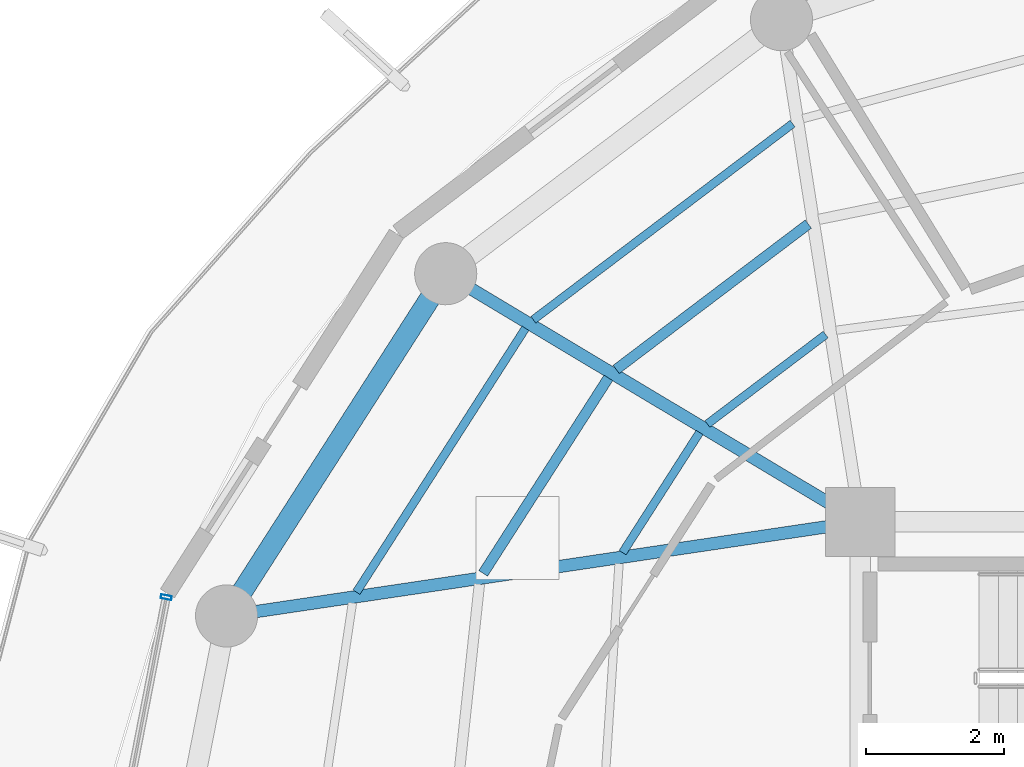
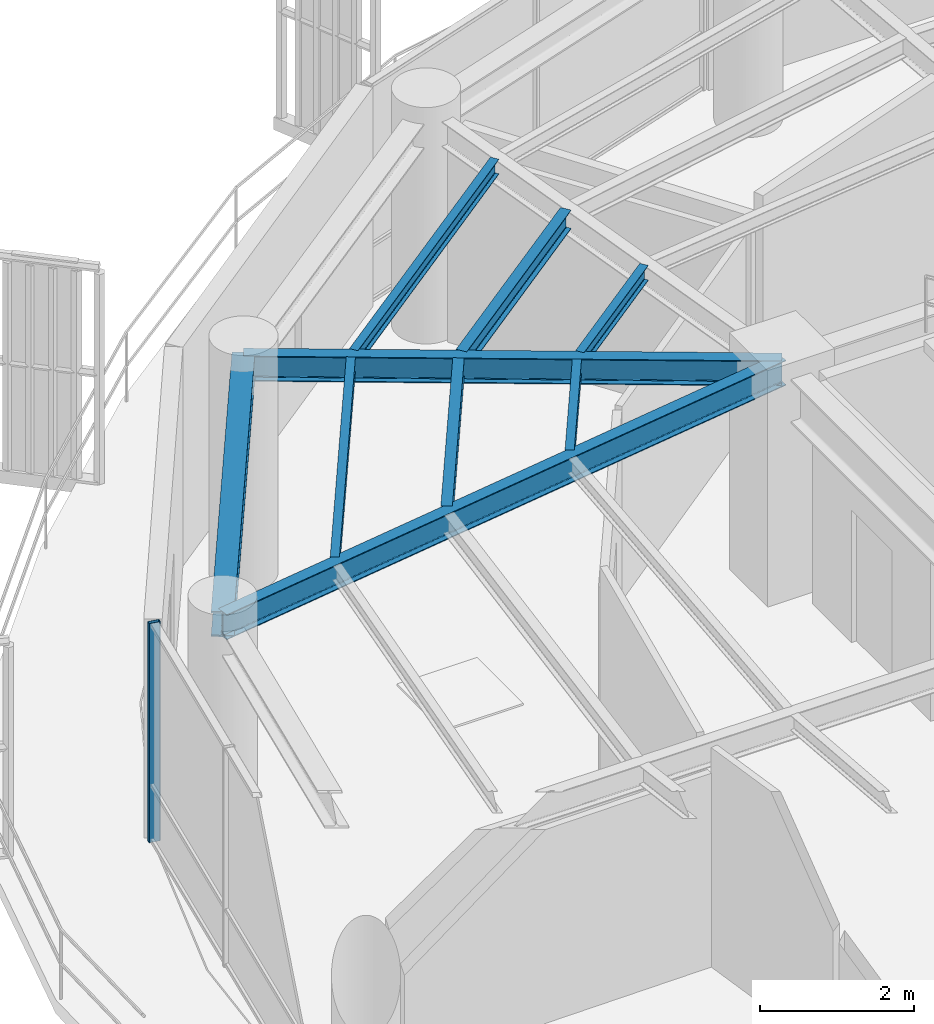
# One storey, part 7 of 22: 9 beams, 1 member, 1 element without a shape of its own.
"""IFC4 building model written with IfcOpenShell, lengths in metres."""

from ifc_helpers import new_model, si_unit, direction, frame, origin, origin_2d, place, context, subcontext, project, spatial, hollow_rectangle, i_section, extrude, material, layer, layer_set, material_profile, profile_set, type_object, element, aggregate, save


model = new_model("IFC4")

# Units and contexts
model_context = context("Model", 3, precision=1e-05, world=origin(), true_north=direction((0.0, 1.0)))
body_context = subcontext(model_context, "Body", "Model", "MODEL_VIEW")
ifc_project = project(units=[si_unit("LENGTHUNIT", "METRE"), si_unit("AREAUNIT", "SQUARE_METRE"), si_unit("VOLUMEUNIT", "CUBIC_METRE"), si_unit("PLANEANGLEUNIT", "RADIAN"), si_unit("MASSUNIT", "GRAM", prefix="KILO")], contexts=[model_context])

# Site, building, storey
site_placement = place(None, origin())
site = spatial("IfcSite", under=ifc_project, at=site_placement, CompositionType="ELEMENT")
building_placement = place(site_placement, origin())
building = spatial("IfcBuilding", under=site, at=building_placement, Name="Kelanora Arch Commons", CompositionType="ELEMENT")
storey_placement = place(building_placement, frame((0.0, 0.0, 259.949951171875)))
storey = spatial("IfcBuildingStorey", under=building, at=storey_placement, Name="L66", CompositionType="ELEMENT", Elevation=259.949951171875)

# Beams
ifc_material_1 = material(Name="Steel S355", Category="steel")
ifc_material_profile_1 = material_profile(ifc_material_1, i_section(OverallWidth=0.14990234375, OverallDepth=0.300048828125, WebThickness=0.007080078125, FlangeThickness=0.0107421875, FilletRadius=0.014892578125, at=origin_2d()), Name="IPE300")
ifc_profile_set_1 = profile_set([ifc_material_profile_1], Name="Steel S355")
beam_type_1 = type_object("IfcBeamType", Name="BM-JST-01", PredefinedType="JOIST", material=ifc_profile_set_1)
beam_1_placement = place(storey_placement, frame((65.248291015625, 69.31201171875, 3.340087890625), z_axis=(-0.797499198801, -0.603320004568, 0.0), x_axis=(0.603320004568, -0.797499198801, 0.0)))
element("IfcBeam", 1, at=beam_1_placement, inside=storey, type_object=beam_type_1, Name="Secondary Chord Joist BJB-12 L66", PredefinedType="JOIST", context=body_context, shape_type="SweptSolid", body=[
    extrude(i_section(OverallWidth=0.14990234375, OverallDepth=0.300048828125, WebThickness=0.007080078125, FlangeThickness=0.0107421875, FilletRadius=0.014892578125, at=origin_2d()), origin(), (0.0, 0.0, 1.0), 3.489013671875),
])
beam_2_placement = place(storey_placement, frame((62.352294921875, 67.084228515625, 3.340087890625), z_axis=(-0.539321586177, -0.842099891155, 0.0), x_axis=(0.842099891155, -0.539321586177, 0.0)))
element("IfcBeam", 2, at=beam_2_placement, inside=storey, type_object=beam_type_1, Name="Secondary Chord Joist BJB-14 L66", PredefinedType="JOIST", context=body_context, shape_type="SweptSolid", body=[
    extrude(i_section(OverallWidth=0.14990234375, OverallDepth=0.300048828125, WebThickness=0.007080078125, FlangeThickness=0.0107421875, FilletRadius=0.014892578125, at=origin_2d()), origin(), (0.0, 0.0, 1.0), 3.361572265625),
])
ifc_material_profile_2 = material_profile(ifc_material_1, i_section(OverallWidth=0.1201171875, OverallDepth=0.239990234375, WebThickness=0.006103515625, FlangeThickness=0.009765625, FilletRadius=0.014892578125, at=origin_2d()), Name="IPE240")
ifc_profile_set_2 = profile_set([ifc_material_profile_2], Name="Steel S355")
beam_type_2 = type_object("IfcBeamType", Name="BM-JST-02", PredefinedType="JOIST", material=ifc_profile_set_2)
beam_3_placement = place(storey_placement, frame((65.4990234375, 67.712158203125, 3.3701171875), z_axis=(-0.797509883882, -0.603305880222, 0.0), x_axis=(0.603305880222, -0.797509883882, 0.0)))
element("IfcBeam", 3, at=beam_3_placement, inside=storey, type_object=beam_type_2, Name="Secondary Chord Joist BJA-12 L66", PredefinedType="JOIST", context=body_context, shape_type="SweptSolid", body=[
    extrude(i_section(OverallWidth=0.1201171875, OverallDepth=0.239990234375, WebThickness=0.006103515625, FlangeThickness=0.009765625, FilletRadius=0.014892578125, at=origin_2d()), origin(), (0.0, 0.0, 1.0), 2.147216796875),
])
beam_4_placement = place(storey_placement, frame((65.020263671875, 70.766357421875, 3.3701171875), z_axis=(-0.79752302984, -0.60328850219, 0.0), x_axis=(0.60328850219, -0.79752302984, 0.0)))
element("IfcBeam", 4, at=beam_4_placement, inside=storey, type_object=beam_type_2, Name="Secondary Chord Joist BJC-12 L66", PredefinedType="JOIST", context=body_context, shape_type="SweptSolid", body=[
    extrude(i_section(OverallWidth=0.1201171875, OverallDepth=0.239990234375, WebThickness=0.006103515625, FlangeThickness=0.009765625, FilletRadius=0.014892578125, at=origin_2d()), origin(), (0.0, 0.0, 1.0), 4.70849609375),
])
beam_5_placement = place(storey_placement, frame((63.6728515625, 66.293701171875, 3.3701171875), z_axis=(-0.539311810315, -0.842106152011, 0.0), x_axis=(0.842106152011, -0.539311810315, 0.0)))
element("IfcBeam", 5, at=beam_5_placement, inside=storey, type_object=beam_type_2, Name="Secondary Chord Joist BJA-14 L66", PredefinedType="JOIST", context=body_context, shape_type="SweptSolid", body=[
    extrude(i_section(OverallWidth=0.1201171875, OverallDepth=0.239990234375, WebThickness=0.006103515625, FlangeThickness=0.009765625, FilletRadius=0.014892578125, at=origin_2d()), origin(), (0.0, 0.0, 1.0), 2.06640625),
])
beam_6_placement = place(storey_placement, frame((61.151611328125, 67.802978515625, 3.3701171875), z_axis=(-0.539288735289, -0.842120929552, 0.0), x_axis=(0.842120929552, -0.539288735289, 0.0)))
element("IfcBeam", 6, at=beam_6_placement, inside=storey, type_object=beam_type_2, Name="Secondary Chord Joist BJC-14 L66", PredefinedType="JOIST", context=body_context, shape_type="SweptSolid", body=[
    extrude(i_section(OverallWidth=0.1201171875, OverallDepth=0.239990234375, WebThickness=0.006103515625, FlangeThickness=0.009765625, FilletRadius=0.014892578125, at=origin_2d()), origin(), (0.0, 0.0, 1.0), 4.538818359375),
])
ifc_material_profile_3 = material_profile(ifc_material_1, i_section(OverallWidth=0.179931640625, OverallDepth=0.39990234375, WebThickness=0.008544921875, FlangeThickness=0.013427734375, FilletRadius=0.02099609375, at=origin_2d()), Name="IPE400")
ifc_profile_set_3 = profile_set([ifc_material_profile_3], Name="Steel S355")
beam_type_3 = type_object("IfcBeamType", Name="BM-RAD-Z5", PredefinedType="BEAM", material=ifc_profile_set_3)
beam_7_placement = place(storey_placement, frame((66.0, 65.0, 3.2900390625), z_axis=(-0.858062005744, 0.513546097541, 0.0), x_axis=(-0.513546097541, -0.858062005744, 0.0)))
element("IfcBeam", 7, at=beam_7_placement, inside=storey, type_object=beam_type_3, Name="Radial Floor Girder BR-14 L66", PredefinedType="BEAM", context=body_context, shape_type="SweptSolid", body=[
    extrude(i_section(OverallWidth=0.179931640625, OverallDepth=0.39990234375, WebThickness=0.008544921875, FlangeThickness=0.013427734375, FilletRadius=0.02099609375, at=origin_2d()), origin(), (0.0, 0.0, 1.0), 6.99658203125),
])
beam_8_placement = place(storey_placement, frame((66.0, 65.0, 3.2900390625), z_axis=(-0.989142485564, -0.146959665395, 0.0), x_axis=(0.146959665395, -0.989142485564, 0.0)))
element("IfcBeam", 8, at=beam_8_placement, inside=storey, type_object=beam_type_3, Name="Radial Floor Girder BR-16 L66", PredefinedType="BEAM", context=body_context, shape_type="SweptSolid", body=[
    extrude(i_section(OverallWidth=0.179931640625, OverallDepth=0.39990234375, WebThickness=0.008544921875, FlangeThickness=0.013427734375, FilletRadius=0.02099609375, at=origin_2d()), origin(), (0.0, 0.0, 1.0), 9.2783203125),
])
ifc_material_profile_4 = material_profile(ifc_material_1, i_section(OverallWidth=0.300048828125, OverallDepth=0.39990234375, WebThickness=0.013427734375, FlangeThickness=0.02392578125, FilletRadius=0.027099609375, at=origin_2d()), Name="HEB400")
ifc_profile_set_4 = profile_set([ifc_material_profile_4], Name="Steel S355")
beam_type_4 = type_object("IfcBeamType", Name="BM-SPN-Z4", PredefinedType="SPANDREL", material=ifc_profile_set_4)
beam_9_placement = place(storey_placement, frame((59.99658203125, 68.593017578125, 3.2900390625), z_axis=(-0.539280851353, -0.842125978322, 0.0), x_axis=(0.842125978322, -0.539280851353, 0.0)))
element("IfcBeam", 9, at=beam_9_placement, inside=storey, type_object=beam_type_4, Name="Perimeter Spandrel Beam BS-14 L66", PredefinedType="SPANDREL", context=body_context, shape_type="SweptSolid", body=[
    extrude(i_section(OverallWidth=0.300048828125, OverallDepth=0.39990234375, WebThickness=0.013427734375, FlangeThickness=0.02392578125, FilletRadius=0.027099609375, at=origin_2d()), origin(), (0.0, 0.0, 1.0), 5.8857421875),
])

# Curtain wall, member
ifc_material_2 = material(Name="Terracotta ceramic-fritted low-E glass and aluminium", Category="masonry")
ifc_layer = layer(ifc_material_2, 0.18994140625)
ifc_layer_set = layer_set([ifc_layer], Name="Terracotta ceramic-fritted low-E glass and aluminium")
curtain_wall_type = type_object("IfcCurtainWallType", Name="CW-SYS-03", PredefinedType="NOTDEFINED", material=ifc_layer_set)
curtain_wall_placement = place(storey_placement, origin())
curtain_wall = element("IfcCurtainWall", 10, at=curtain_wall_placement, inside=storey, type_object=curtain_wall_type, Name="Unitised Curtain Wall L66-B08", PredefinedType="NOTDEFINED")
ifc_material_3 = material(Name="Powder-coated aluminium terracotta", Category="masonry")
ifc_material_profile_5 = material_profile(ifc_material_3, hollow_rectangle(XDim=0.159912109375, YDim=0.06005859375, WallThickness=0.0048828125, InnerFilletRadius=0.0048828125, OuterFilletRadius=0.010009765625, at=origin_2d()), Name="CWM160x60")
ifc_profile_set_5 = profile_set([ifc_material_profile_5], Name="Powder-coated aluminium terracotta")
member_type = type_object("IfcMemberType", Name="CWM-STD", PredefinedType="MULLION", material=ifc_profile_set_5)
member_placement = place(storey_placement, frame((55.94921875, 63.906982421875, 0.0), z_axis=(0.0, 0.0, 1.0), x_axis=(0.981595542501, -0.190971701941, 0.0)))
member = element("IfcMember", 11, at=member_placement, type_object=member_type, Name="CW-03 mullion 1", PredefinedType="MULLION", context=body_context, shape_type="SweptSolid", body=[
    extrude(hollow_rectangle(XDim=0.159912109375, YDim=0.06005859375, WallThickness=0.0048828125, InnerFilletRadius=0.0048828125, OuterFilletRadius=0.010009765625, at=origin_2d()), origin(), (0.0, 0.0, 1.0), 3.47509765625),
])
aggregate(curtain_wall, [member])

save(model, "model.ifc")
